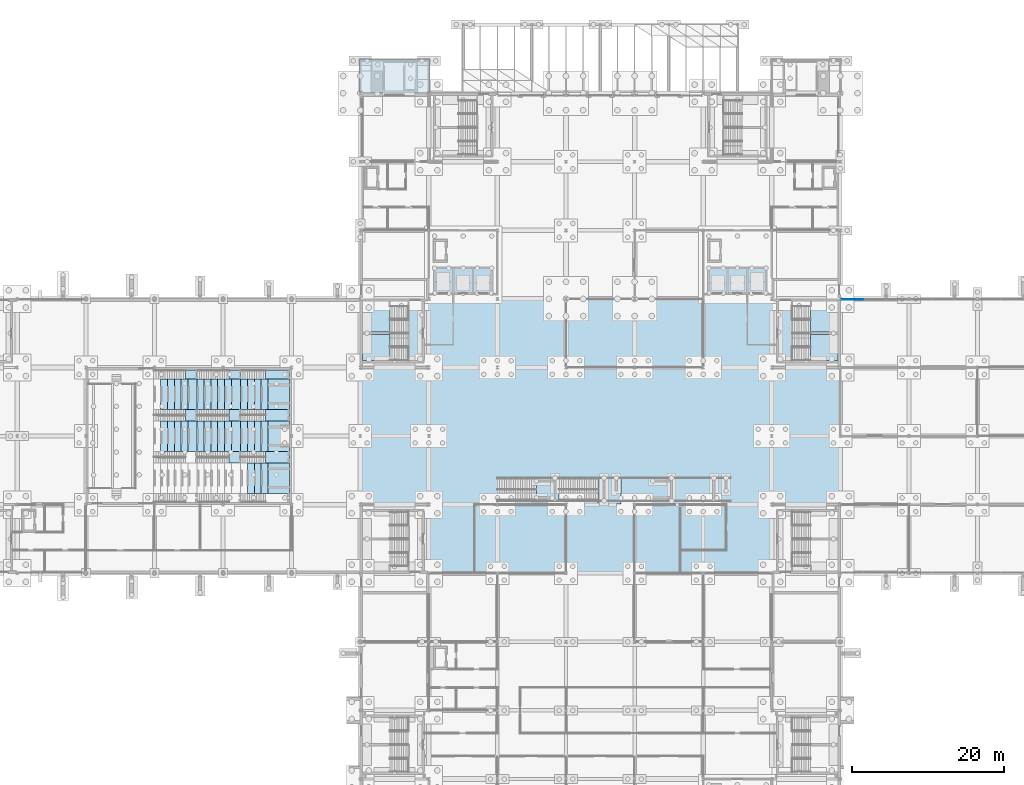
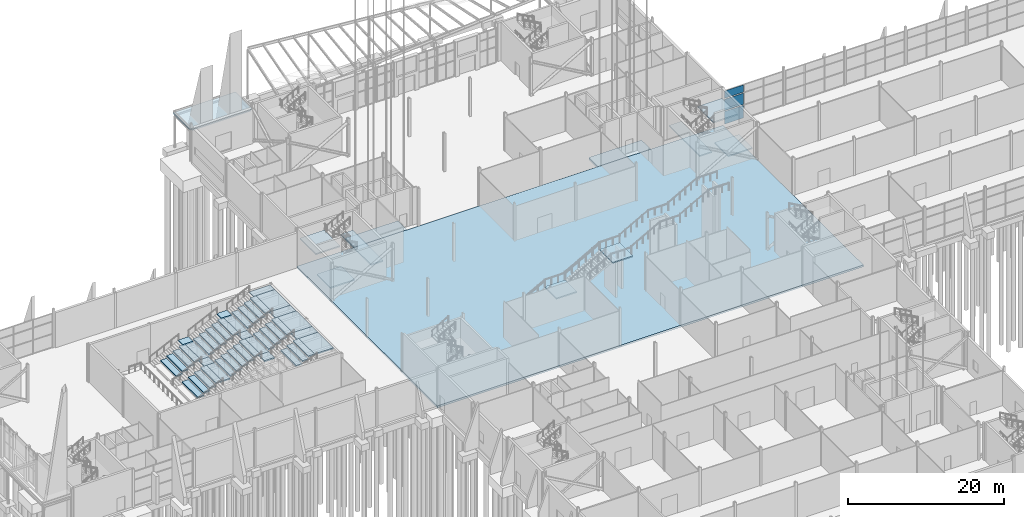
# One storey, part 92 of 139: 56 slabs, 3 plates, 7 elements without a shape of their own.
"""IFC4 building model written with IfcOpenShell, lengths in metres."""

from ifc_helpers import new_model, si_unit, direction, frame, origin, origin_2d, place, context, subcontext, project, spatial, polyline, rectangle, outline, extrude, material, layer, layer_set, type_object, element, aggregate, save


model = new_model("IFC4")

# Units and contexts
model_context = context("Model", 3, precision=1e-05, world=origin(), true_north=direction((0.0, 1.0)))
body_context = subcontext(model_context, "Body", "Model", "MODEL_VIEW")
ifc_project = project(units=[si_unit("LENGTHUNIT", "METRE"), si_unit("AREAUNIT", "SQUARE_METRE"), si_unit("VOLUMEUNIT", "CUBIC_METRE"), si_unit("PLANEANGLEUNIT", "RADIAN"), si_unit("MASSUNIT", "GRAM", prefix="KILO")], contexts=[model_context])

# Site, building, storey
site_placement = place(None, origin())
site = spatial("IfcSite", under=ifc_project, at=site_placement, CompositionType="ELEMENT")
building_placement = place(site_placement, origin())
building = spatial("IfcBuilding", under=site, at=building_placement, Name="Shorebreak Coast Museum", CompositionType="ELEMENT")
storey_placement = place(building_placement, origin())
storey = spatial("IfcBuildingStorey", under=building, at=storey_placement, Name="L00", CompositionType="ELEMENT", Elevation=0.0)

# Stair, slabs
ifc_material_1 = material(Name="Concrete N40 (40 MPa)", Category="concrete")
stair_type_1 = type_object("IfcStairType", Name="Aisle stair 1500", PredefinedType="STRAIGHT_RUN_STAIR", material=ifc_material_1)
stair_1_placement = place(storey_placement, origin())
stair_1 = element("IfcStair", 1, at=stair_1_placement, inside=storey, type_object=stair_type_1, Name="Aisle stair 2", PredefinedType="STRAIGHT_RUN_STAIR")
ifc_material_2 = material(Name="Concrete N40 (40 MPa)", Category="concrete")
ifc_layer_1 = layer(ifc_material_2, 0.199951171875)
ifc_layer_set_1 = layer_set([ifc_layer_1], Name="Concrete N40 (40 MPa)")
slab_type_1 = type_object("IfcSlabType", Name="Aisle landing 200", PredefinedType="LANDING", material=ifc_layer_set_1)
slab_1_placement = place(storey_placement, frame((0.0, 0.0, 4.085693359375)))
slab_1 = element("IfcSlab", 2, at=slab_1_placement, type_object=slab_type_1, Name="STA-2 landing 2", PredefinedType="LANDING", context=body_context, shape_type="SweptSolid", body=[
    extrude(outline(polyline([(36.800048828125, 68.5), (38.300048828125, 68.5), (38.300048828125, 70.0), (36.800048828125, 70.0), (36.800048828125, 68.5)])), origin(), (0.0, 0.0, 1.0), 0.199951171875),
])
slab_2_placement = place(storey_placement, frame((0.0, 0.0, 5.800048828125)))
slab_2 = element("IfcSlab", 3, at=slab_2_placement, type_object=slab_type_1, Name="STA-2 landing 3", PredefinedType="LANDING", context=body_context, shape_type="SweptSolid", body=[
    extrude(outline(polyline([(41.60009765625, 68.5), (44.699951171875, 68.5), (44.699951171875, 70.0), (41.60009765625, 70.0), (41.60009765625, 68.5)])), origin(), (0.0, 0.0, 1.0), 0.199951171875),
])
aggregate(stair_1, [slab_1, slab_2])

stair_2_placement = place(storey_placement, origin())
stair_2 = element("IfcStair", 4, at=stair_2_placement, inside=storey, type_object=stair_type_1, Name="Aisle stair 3", PredefinedType="STRAIGHT_RUN_STAIR")
slab_3_placement = place(storey_placement, frame((0.0, 0.0, 1.94287109375)))
slab_3 = element("IfcSlab", 5, at=slab_3_placement, type_object=slab_type_1, Name="STA-3 landing 1", PredefinedType="LANDING", context=body_context, shape_type="SweptSolid", body=[
    extrude(outline(polyline([(31.10009765625, 74.0), (32.60009765625, 74.0), (32.60009765625, 75.5), (31.10009765625, 75.5), (31.10009765625, 74.0)])), origin(), (0.0, 0.0, 1.0), 0.199951171875),
])
slab_4_placement = place(storey_placement, frame((0.0, 0.0, 4.085693359375)))
slab_4 = element("IfcSlab", 6, at=slab_4_placement, type_object=slab_type_1, Name="STA-3 landing 2", PredefinedType="LANDING", context=body_context, shape_type="SweptSolid", body=[
    extrude(outline(polyline([(36.800048828125, 74.0), (38.300048828125, 74.0), (38.300048828125, 75.5), (36.800048828125, 75.5), (36.800048828125, 74.0)])), origin(), (0.0, 0.0, 1.0), 0.199951171875),
])
slab_5_placement = place(storey_placement, frame((0.0, 0.0, 5.800048828125)))
slab_5 = element("IfcSlab", 7, at=slab_5_placement, type_object=slab_type_1, Name="STA-3 landing 3", PredefinedType="LANDING", context=body_context, shape_type="SweptSolid", body=[
    extrude(outline(polyline([(41.60009765625, 74.0), (44.699951171875, 74.0), (44.699951171875, 75.5), (41.60009765625, 75.5), (41.60009765625, 74.0)])), origin(), (0.0, 0.0, 1.0), 0.199951171875),
])
aggregate(stair_2, [slab_3, slab_4, slab_5])

ifc_material_3 = material(Name="Concrete N40 (40 MPa)", Category="concrete")
stair_type_2 = type_object("IfcStairType", Name="Aisle stair 1200", PredefinedType="STRAIGHT_RUN_STAIR", material=ifc_material_3)
stair_3_placement = place(storey_placement, origin())
stair_3 = element("IfcStair", 8, at=stair_3_placement, inside=storey, type_object=stair_type_2, Name="Aisle stair 4", PredefinedType="STRAIGHT_RUN_STAIR")
slab_6_placement = place(storey_placement, frame((0.0, 0.0, 1.94287109375)))
slab_6 = element("IfcSlab", 9, at=slab_6_placement, type_object=slab_type_1, Name="STA-4 landing 1", PredefinedType="LANDING", context=body_context, shape_type="SweptSolid", body=[
    extrude(outline(polyline([(31.10009765625, 79.5), (32.60009765625, 79.5), (32.60009765625, 80.699951171875), (31.10009765625, 80.699951171875), (31.10009765625, 79.5)])), origin(), (0.0, 0.0, 1.0), 0.199951171875),
])
slab_7_placement = place(storey_placement, frame((0.0, 0.0, 4.085693359375)))
slab_7 = element("IfcSlab", 10, at=slab_7_placement, type_object=slab_type_1, Name="STA-4 landing 2", PredefinedType="LANDING", context=body_context, shape_type="SweptSolid", body=[
    extrude(outline(polyline([(36.800048828125, 79.5), (38.300048828125, 79.5), (38.300048828125, 80.699951171875), (36.800048828125, 80.699951171875), (36.800048828125, 79.5)])), origin(), (0.0, 0.0, 1.0), 0.199951171875),
])
slab_8_placement = place(storey_placement, frame((0.0, 0.0, 5.800048828125)))
slab_8 = element("IfcSlab", 11, at=slab_8_placement, type_object=slab_type_1, Name="STA-4 landing 3", PredefinedType="LANDING", context=body_context, shape_type="SweptSolid", body=[
    extrude(outline(polyline([(41.60009765625, 79.5), (44.699951171875, 79.5), (44.699951171875, 80.699951171875), (41.60009765625, 80.699951171875), (41.60009765625, 79.5)])), origin(), (0.0, 0.0, 1.0), 0.199951171875),
])
aggregate(stair_3, [slab_6, slab_7, slab_8])

# Slabs
ifc_material_4 = material(Name="Concrete N50 (50 MPa)", Category="concrete")
ifc_layer_2 = layer(ifc_material_4, 0.199951171875)
ifc_layer_set_2 = layer_set([ifc_layer_2], Name="Concrete N50 (50 MPa)")
slab_type_2 = type_object("IfcSlabType", Name="Arcade roof slab 200 concrete N50", PredefinedType="ROOF", material=ifc_layer_set_2)
slab_9_placement = place(storey_placement, frame((0.0, 0.0, 4.800048828125)))
element("IfcSlab", 12, at=slab_9_placement, inside=storey, type_object=slab_type_2, Name="Arcade roof slab north 1", PredefinedType="ROOF", context=body_context, shape_type="SweptSolid", body=[
    extrude(outline(polyline([(53.89990234375, 121.5), (63.10009765625, 121.5), (63.10009765625, 117.16357421875), (62.844482421875, 117.16357421875), (62.844482421875, 117.0), (54.155517578125, 117.0), (54.155517578125, 117.16357421875), (53.89990234375, 117.16357421875), (53.89990234375, 121.5)])), origin(), (0.0, 0.0, 1.0), 0.199951171875),
])
ifc_material_5 = material(Name="Concrete N40 (40 MPa)", Category="concrete")
ifc_layer_3 = layer(ifc_material_5, 0.300048828125)
ifc_layer_set_3 = layer_set([ifc_layer_3], Name="Concrete N40 (40 MPa)")
slab_type_3 = type_object("IfcSlabType", Name="Base slab 300 concrete N40", PredefinedType="BASESLAB", material=ifc_layer_set_3)
slab_10_placement = place(storey_placement, frame((0.0, 0.0, -0.300048828125)))
element("IfcSlab", 13, at=slab_10_placement, inside=storey, type_object=slab_type_3, Name="Base slab L00 crossing", PredefinedType="BASESLAB", context=body_context, shape_type="SweptSolid", body=[
    extrude(outline(polyline([(117.0, 54.0), (117.0, 90.0), (54.0, 90.0), (54.0, 54.0), (117.0, 54.0)])), origin(), (0.0, 0.0, 1.0), 0.300048828125),
])
ifc_material_6 = material(Name="Concrete N40 (40 MPa)", Category="concrete")
ifc_layer_4 = layer(ifc_material_6, 0.199951171875)
ifc_layer_set_4 = layer_set([ifc_layer_4], Name="Concrete N40 (40 MPa)")
slab_type_4 = type_object("IfcSlabType", Name="Cross aisle 200", PredefinedType="USERDEFINED", material=ifc_layer_set_4)
slab_11_placement = place(storey_placement, frame((0.0, 0.0, 1.94287109375)))
element("IfcSlab", 14, at=slab_11_placement, inside=storey, type_object=slab_type_4, Name="Cross aisle 1 B", ObjectType="CROSS AISLE", PredefinedType="USERDEFINED", context=body_context, shape_type="SweptSolid", body=[
    extrude(outline(polyline([(31.39990234375, 70.0), (32.60009765625, 70.0), (32.60009765625, 74.0), (31.39990234375, 74.0), (31.39990234375, 70.0)])), origin(), (0.0, 0.0, 1.0), 0.199951171875),
])
slab_12_placement = place(storey_placement, frame((0.0, 0.0, 1.94287109375)))
element("IfcSlab", 15, at=slab_12_placement, inside=storey, type_object=slab_type_4, Name="Cross aisle 1 C", ObjectType="CROSS AISLE", PredefinedType="USERDEFINED", context=body_context, shape_type="SweptSolid", body=[
    extrude(outline(polyline([(31.39990234375, 75.5), (32.60009765625, 75.5), (32.60009765625, 79.5), (31.39990234375, 79.5), (31.39990234375, 75.5)])), origin(), (0.0, 0.0, 1.0), 0.199951171875),
])
slab_13_placement = place(storey_placement, frame((0.0, 0.0, 4.085693359375)))
element("IfcSlab", 16, at=slab_13_placement, inside=storey, type_object=slab_type_4, Name="Cross aisle 2 B", ObjectType="CROSS AISLE", PredefinedType="USERDEFINED", context=body_context, shape_type="SweptSolid", body=[
    extrude(outline(polyline([(37.10009765625, 70.0), (38.300048828125, 70.0), (38.300048828125, 74.0), (37.10009765625, 74.0), (37.10009765625, 70.0)])), origin(), (0.0, 0.0, 1.0), 0.199951171875),
])
slab_14_placement = place(storey_placement, frame((0.0, 0.0, 4.085693359375)))
element("IfcSlab", 17, at=slab_14_placement, inside=storey, type_object=slab_type_4, Name="Cross aisle 2 C", ObjectType="CROSS AISLE", PredefinedType="USERDEFINED", context=body_context, shape_type="SweptSolid", body=[
    extrude(outline(polyline([(37.10009765625, 75.5), (38.300048828125, 75.5), (38.300048828125, 79.5), (37.10009765625, 79.5), (37.10009765625, 75.5)])), origin(), (0.0, 0.0, 1.0), 0.199951171875),
])
slab_15_placement = place(storey_placement, frame((0.0, 0.0, 5.800048828125)))
element("IfcSlab", 18, at=slab_15_placement, inside=storey, type_object=slab_type_4, Name="Rear aisle A", ObjectType="CROSS AISLE", PredefinedType="USERDEFINED", context=body_context, shape_type="SweptSolid", body=[
    extrude(outline(polyline([(41.89990234375, 64.5), (44.699951171875, 64.5), (44.699951171875, 68.5), (41.89990234375, 68.5), (41.89990234375, 64.5)])), origin(), (0.0, 0.0, 1.0), 0.199951171875),
])
slab_16_placement = place(storey_placement, frame((0.0, 0.0, 5.800048828125)))
element("IfcSlab", 19, at=slab_16_placement, inside=storey, type_object=slab_type_4, Name="Rear aisle B", ObjectType="CROSS AISLE", PredefinedType="USERDEFINED", context=body_context, shape_type="SweptSolid", body=[
    extrude(outline(polyline([(41.89990234375, 70.0), (44.699951171875, 70.0), (44.699951171875, 74.0), (41.89990234375, 74.0), (41.89990234375, 70.0)])), origin(), (0.0, 0.0, 1.0), 0.199951171875),
])
slab_17_placement = place(storey_placement, frame((0.0, 0.0, 5.800048828125)))
element("IfcSlab", 20, at=slab_17_placement, inside=storey, type_object=slab_type_4, Name="Rear aisle C", ObjectType="CROSS AISLE", PredefinedType="USERDEFINED", context=body_context, shape_type="SweptSolid", body=[
    extrude(outline(polyline([(41.89990234375, 75.5), (44.699951171875, 75.5), (44.699951171875, 79.5), (41.89990234375, 79.5), (41.89990234375, 75.5)])), origin(), (0.0, 0.0, 1.0), 0.199951171875),
])

# Stair, slabs
ifc_material_7 = material(Name="Concrete N40 (40 MPa)", Category="concrete")
stair_type_3 = type_object("IfcStairType", Name="Feature stair run 6 m", PredefinedType="TWO_STRAIGHT_RUN_STAIR", material=ifc_material_7)
stair_4_placement = place(storey_placement, origin())
stair_4 = element("IfcStair", 21, at=stair_4_placement, inside=storey, type_object=stair_type_3, Name="Feature stair FS-L00", PredefinedType="TWO_STRAIGHT_RUN_STAIR")
ifc_material_8 = material(Name="Concrete N40 (40 MPa)", Category="concrete")
ifc_layer_5 = layer(ifc_material_8, 0.199951171875)
ifc_layer_set_5 = layer_set([ifc_layer_5], Name="Concrete N40 (40 MPa)")
slab_type_5 = type_object("IfcSlabType", Name="Feature stair landing 200", PredefinedType="LANDING", material=ifc_layer_set_5)
slab_18_placement = place(storey_placement, frame((0.0, 0.0, 2.800048828125)))
slab_18 = element("IfcSlab", 22, at=slab_18_placement, type_object=slab_type_5, Name="FS-L00 landing 1", PredefinedType="LANDING", context=body_context, shape_type="SweptSolid", body=[
    extrude(outline(polyline([(77.10009765625, 63.5), (80.10009765625, 63.5), (80.10009765625, 66.5), (77.10009765625, 66.5), (77.10009765625, 63.5)])), origin(), (0.0, 0.0, 1.0), 0.199951171875),
])
slab_19_placement = place(storey_placement, frame((0.0, 0.0, 5.800048828125)))
slab_19 = element("IfcSlab", 23, at=slab_19_placement, type_object=slab_type_5, Name="FS-L00 landing 2", PredefinedType="LANDING", context=body_context, shape_type="SweptSolid", body=[
    extrude(outline(polyline([(85.199951171875, 63.10009765625), (88.199951171875, 63.10009765625), (88.199951171875, 66.5), (85.199951171875, 66.5), (85.199951171875, 63.10009765625)])), origin(), (0.0, 0.0, 1.0), 0.199951171875),
])
aggregate(stair_4, [slab_18, slab_19])

# Slabs
ifc_material_9 = material(Name="Concrete N50 (50 MPa)", Category="concrete")
ifc_layer_6 = layer(ifc_material_9, 0.300048828125)
ifc_layer_set_6 = layer_set([ifc_layer_6], Name="Concrete N50 (50 MPa)")
slab_type_6 = type_object("IfcSlabType", Name="Lift pit slab 300", PredefinedType="BASESLAB", material=ifc_layer_set_6)
slab_20_placement = place(storey_placement, frame((0.0, 0.0, -1.800048828125)))
element("IfcSlab", 24, at=slab_20_placement, inside=storey, type_object=slab_type_6, Name="Lift pit slab LBW", PredefinedType="BASESLAB", context=body_context, shape_type="SweptSolid", body=[
    extrude(outline(polyline([(63.60009765625, 90.60009765625), (71.39990234375, 90.60009765625), (71.39990234375, 94.199951171875), (63.60009765625, 94.199951171875), (63.60009765625, 90.60009765625)])), origin(), (0.0, 0.0, 1.0), 0.300048828125),
])
slab_21_placement = place(storey_placement, frame((0.0, 0.0, -1.800048828125)))
element("IfcSlab", 25, at=slab_21_placement, inside=storey, type_object=slab_type_6, Name="Lift pit slab LBE", PredefinedType="BASESLAB", context=body_context, shape_type="SweptSolid", body=[
    extrude(outline(polyline([(99.60009765625, 90.60009765625), (107.39990234375, 90.60009765625), (107.39990234375, 94.199951171875), (99.60009765625, 94.199951171875), (99.60009765625, 90.60009765625)])), origin(), (0.0, 0.0, 1.0), 0.300048828125),
])
ifc_material_10 = material(Name="Concrete N40 (40 MPa)", Category="concrete")
ifc_layer_7 = layer(ifc_material_10, 0.199951171875)
ifc_layer_set_7 = layer_set([ifc_layer_7], Name="Concrete N40 (40 MPa)")
slab_type_7 = type_object("IfcSlabType", Name="Seating tier 200", PredefinedType="USERDEFINED", material=ifc_layer_set_7)
slab_22_placement = place(storey_placement, frame((0.0, 0.0, 0.656982421875)))
element("IfcSlab", 26, at=slab_22_placement, inside=storey, type_object=slab_type_7, Name="Stand 2 B", ObjectType="SEATING TIER", PredefinedType="USERDEFINED", context=body_context, shape_type="SweptSolid", body=[
    extrude(outline(polyline([(27.800048828125, 70.0), (28.699951171875, 70.0), (28.699951171875, 74.0), (27.800048828125, 74.0), (27.800048828125, 70.0)])), origin(), (0.0, 0.0, 1.0), 0.2001953125),
])
slab_23_placement = place(storey_placement, frame((0.0, 0.0, 0.656982421875)))
element("IfcSlab", 27, at=slab_23_placement, inside=storey, type_object=slab_type_7, Name="Stand 2 C", ObjectType="SEATING TIER", PredefinedType="USERDEFINED", context=body_context, shape_type="SweptSolid", body=[
    extrude(outline(polyline([(27.800048828125, 75.5), (28.699951171875, 75.5), (28.699951171875, 79.5), (27.800048828125, 79.5), (27.800048828125, 75.5)])), origin(), (0.0, 0.0, 1.0), 0.2001953125),
])
slab_24_placement = place(storey_placement, frame((0.0, 0.0, 1.085693359375)))
element("IfcSlab", 28, at=slab_24_placement, inside=storey, type_object=slab_type_7, Name="Stand 3 B", ObjectType="SEATING TIER", PredefinedType="USERDEFINED", context=body_context, shape_type="SweptSolid", body=[
    extrude(outline(polyline([(28.699951171875, 70.0), (29.60009765625, 70.0), (29.60009765625, 74.0), (28.699951171875, 74.0), (28.699951171875, 70.0)])), origin(), (0.0, 0.0, 1.0), 0.199951171875),
])
slab_25_placement = place(storey_placement, frame((0.0, 0.0, 1.085693359375)))
element("IfcSlab", 29, at=slab_25_placement, inside=storey, type_object=slab_type_7, Name="Stand 3 C", ObjectType="SEATING TIER", PredefinedType="USERDEFINED", context=body_context, shape_type="SweptSolid", body=[
    extrude(outline(polyline([(28.699951171875, 75.5), (29.60009765625, 75.5), (29.60009765625, 79.5), (28.699951171875, 79.5), (28.699951171875, 75.5)])), origin(), (0.0, 0.0, 1.0), 0.199951171875),
])
slab_26_placement = place(storey_placement, frame((0.0, 0.0, 1.514404296875)))
element("IfcSlab", 30, at=slab_26_placement, inside=storey, type_object=slab_type_7, Name="Stand 4 B", ObjectType="SEATING TIER", PredefinedType="USERDEFINED", context=body_context, shape_type="SweptSolid", body=[
    extrude(outline(polyline([(29.60009765625, 70.0), (30.5, 70.0), (30.5, 74.0), (29.60009765625, 74.0), (29.60009765625, 70.0)])), origin(), (0.0, 0.0, 1.0), 0.199951171875),
])
slab_27_placement = place(storey_placement, frame((0.0, 0.0, 1.514404296875)))
element("IfcSlab", 31, at=slab_27_placement, inside=storey, type_object=slab_type_7, Name="Stand 4 C", ObjectType="SEATING TIER", PredefinedType="USERDEFINED", context=body_context, shape_type="SweptSolid", body=[
    extrude(outline(polyline([(29.60009765625, 75.5), (30.5, 75.5), (30.5, 79.5), (29.60009765625, 79.5), (29.60009765625, 75.5)])), origin(), (0.0, 0.0, 1.0), 0.199951171875),
])
slab_28_placement = place(storey_placement, frame((0.0, 0.0, 1.94287109375)))
element("IfcSlab", 32, at=slab_28_placement, inside=storey, type_object=slab_type_7, Name="Stand 5 B", ObjectType="SEATING TIER", PredefinedType="USERDEFINED", context=body_context, shape_type="SweptSolid", body=[
    extrude(outline(polyline([(30.5, 70.0), (31.39990234375, 70.0), (31.39990234375, 74.0), (30.5, 74.0), (30.5, 70.0)])), origin(), (0.0, 0.0, 1.0), 0.199951171875),
])
slab_29_placement = place(storey_placement, frame((0.0, 0.0, 1.94287109375)))
element("IfcSlab", 33, at=slab_29_placement, inside=storey, type_object=slab_type_7, Name="Stand 5 C", ObjectType="SEATING TIER", PredefinedType="USERDEFINED", context=body_context, shape_type="SweptSolid", body=[
    extrude(outline(polyline([(30.5, 75.5), (31.39990234375, 75.5), (31.39990234375, 79.5), (30.5, 79.5), (30.5, 75.5)])), origin(), (0.0, 0.0, 1.0), 0.199951171875),
])
slab_30_placement = place(storey_placement, frame((0.0, 0.0, 2.371337890625)))
element("IfcSlab", 34, at=slab_30_placement, inside=storey, type_object=slab_type_7, Name="Stand 6 B", ObjectType="SEATING TIER", PredefinedType="USERDEFINED", context=body_context, shape_type="SweptSolid", body=[
    extrude(outline(polyline([(32.60009765625, 70.0), (33.5, 70.0), (33.5, 74.0), (32.60009765625, 74.0), (32.60009765625, 70.0)])), origin(), (0.0, 0.0, 1.0), 0.199951171875),
])
slab_31_placement = place(storey_placement, frame((0.0, 0.0, 2.371337890625)))
element("IfcSlab", 35, at=slab_31_placement, inside=storey, type_object=slab_type_7, Name="Stand 6 C", ObjectType="SEATING TIER", PredefinedType="USERDEFINED", context=body_context, shape_type="SweptSolid", body=[
    extrude(outline(polyline([(32.60009765625, 75.5), (33.5, 75.5), (33.5, 79.5), (32.60009765625, 79.5), (32.60009765625, 75.5)])), origin(), (0.0, 0.0, 1.0), 0.199951171875),
])
slab_32_placement = place(storey_placement, frame((0.0, 0.0, 2.800048828125)))
element("IfcSlab", 36, at=slab_32_placement, inside=storey, type_object=slab_type_7, Name="Stand 7 B", ObjectType="SEATING TIER", PredefinedType="USERDEFINED", context=body_context, shape_type="SweptSolid", body=[
    extrude(outline(polyline([(33.5, 70.0), (34.39990234375, 70.0), (34.39990234375, 74.0), (33.5, 74.0), (33.5, 70.0)])), origin(), (0.0, 0.0, 1.0), 0.199951171875),
])
slab_33_placement = place(storey_placement, frame((0.0, 0.0, 2.800048828125)))
element("IfcSlab", 37, at=slab_33_placement, inside=storey, type_object=slab_type_7, Name="Stand 7 C", ObjectType="SEATING TIER", PredefinedType="USERDEFINED", context=body_context, shape_type="SweptSolid", body=[
    extrude(outline(polyline([(33.5, 75.5), (34.39990234375, 75.5), (34.39990234375, 79.5), (33.5, 79.5), (33.5, 75.5)])), origin(), (0.0, 0.0, 1.0), 0.199951171875),
])
slab_34_placement = place(storey_placement, frame((0.0, 0.0, 3.228515625)))
element("IfcSlab", 38, at=slab_34_placement, inside=storey, type_object=slab_type_7, Name="Stand 8 B", ObjectType="SEATING TIER", PredefinedType="USERDEFINED", context=body_context, shape_type="SweptSolid", body=[
    extrude(outline(polyline([(34.39990234375, 70.0), (35.300048828125, 70.0), (35.300048828125, 74.0), (34.39990234375, 74.0), (34.39990234375, 70.0)])), origin(), (0.0, 0.0, 1.0), 0.2001953125),
])
slab_35_placement = place(storey_placement, frame((0.0, 0.0, 3.228515625)))
element("IfcSlab", 39, at=slab_35_placement, inside=storey, type_object=slab_type_7, Name="Stand 8 C", ObjectType="SEATING TIER", PredefinedType="USERDEFINED", context=body_context, shape_type="SweptSolid", body=[
    extrude(outline(polyline([(34.39990234375, 75.5), (35.300048828125, 75.5), (35.300048828125, 79.5), (34.39990234375, 79.5), (34.39990234375, 75.5)])), origin(), (0.0, 0.0, 1.0), 0.2001953125),
])
slab_36_placement = place(storey_placement, frame((0.0, 0.0, 3.656982421875)))
element("IfcSlab", 40, at=slab_36_placement, inside=storey, type_object=slab_type_7, Name="Stand 9 B", ObjectType="SEATING TIER", PredefinedType="USERDEFINED", context=body_context, shape_type="SweptSolid", body=[
    extrude(outline(polyline([(35.300048828125, 70.0), (36.199951171875, 70.0), (36.199951171875, 74.0), (35.300048828125, 74.0), (35.300048828125, 70.0)])), origin(), (0.0, 0.0, 1.0), 0.2001953125),
])
slab_37_placement = place(storey_placement, frame((0.0, 0.0, 3.656982421875)))
element("IfcSlab", 41, at=slab_37_placement, inside=storey, type_object=slab_type_7, Name="Stand 9 C", ObjectType="SEATING TIER", PredefinedType="USERDEFINED", context=body_context, shape_type="SweptSolid", body=[
    extrude(outline(polyline([(35.300048828125, 75.5), (36.199951171875, 75.5), (36.199951171875, 79.5), (35.300048828125, 79.5), (35.300048828125, 75.5)])), origin(), (0.0, 0.0, 1.0), 0.2001953125),
])
slab_38_placement = place(storey_placement, frame((0.0, 0.0, 4.085693359375)))
element("IfcSlab", 42, at=slab_38_placement, inside=storey, type_object=slab_type_7, Name="Stand 10 B", ObjectType="SEATING TIER", PredefinedType="USERDEFINED", context=body_context, shape_type="SweptSolid", body=[
    extrude(outline(polyline([(36.199951171875, 70.0), (37.10009765625, 70.0), (37.10009765625, 74.0), (36.199951171875, 74.0), (36.199951171875, 70.0)])), origin(), (0.0, 0.0, 1.0), 0.199951171875),
])
slab_39_placement = place(storey_placement, frame((0.0, 0.0, 4.085693359375)))
element("IfcSlab", 43, at=slab_39_placement, inside=storey, type_object=slab_type_7, Name="Stand 10 C", ObjectType="SEATING TIER", PredefinedType="USERDEFINED", context=body_context, shape_type="SweptSolid", body=[
    extrude(outline(polyline([(36.199951171875, 75.5), (37.10009765625, 75.5), (37.10009765625, 79.5), (36.199951171875, 79.5), (36.199951171875, 75.5)])), origin(), (0.0, 0.0, 1.0), 0.199951171875),
])
slab_40_placement = place(storey_placement, frame((0.0, 0.0, 4.514404296875)))
element("IfcSlab", 44, at=slab_40_placement, inside=storey, type_object=slab_type_7, Name="Stand 11 B", ObjectType="SEATING TIER", PredefinedType="USERDEFINED", context=body_context, shape_type="SweptSolid", body=[
    extrude(outline(polyline([(38.300048828125, 70.0), (39.199951171875, 70.0), (39.199951171875, 74.0), (38.300048828125, 74.0), (38.300048828125, 70.0)])), origin(), (0.0, 0.0, 1.0), 0.199951171875),
])
slab_41_placement = place(storey_placement, frame((0.0, 0.0, 4.514404296875)))
element("IfcSlab", 45, at=slab_41_placement, inside=storey, type_object=slab_type_7, Name="Stand 11 C", ObjectType="SEATING TIER", PredefinedType="USERDEFINED", context=body_context, shape_type="SweptSolid", body=[
    extrude(outline(polyline([(38.300048828125, 75.5), (39.199951171875, 75.5), (39.199951171875, 79.5), (38.300048828125, 79.5), (38.300048828125, 75.5)])), origin(), (0.0, 0.0, 1.0), 0.199951171875),
])
slab_42_placement = place(storey_placement, frame((0.0, 0.0, 4.94287109375)))
element("IfcSlab", 46, at=slab_42_placement, inside=storey, type_object=slab_type_7, Name="Stand 12 A", ObjectType="SEATING TIER", PredefinedType="USERDEFINED", context=body_context, shape_type="SweptSolid", body=[
    extrude(outline(polyline([(39.199951171875, 64.5), (40.10009765625, 64.5), (40.10009765625, 68.5), (39.199951171875, 68.5), (39.199951171875, 64.5)])), origin(), (0.0, 0.0, 1.0), 0.199951171875),
])
slab_43_placement = place(storey_placement, frame((0.0, 0.0, 4.94287109375)))
element("IfcSlab", 47, at=slab_43_placement, inside=storey, type_object=slab_type_7, Name="Stand 12 B", ObjectType="SEATING TIER", PredefinedType="USERDEFINED", context=body_context, shape_type="SweptSolid", body=[
    extrude(outline(polyline([(39.199951171875, 70.0), (40.10009765625, 70.0), (40.10009765625, 74.0), (39.199951171875, 74.0), (39.199951171875, 70.0)])), origin(), (0.0, 0.0, 1.0), 0.199951171875),
])
slab_44_placement = place(storey_placement, frame((0.0, 0.0, 4.94287109375)))
element("IfcSlab", 48, at=slab_44_placement, inside=storey, type_object=slab_type_7, Name="Stand 12 C", ObjectType="SEATING TIER", PredefinedType="USERDEFINED", context=body_context, shape_type="SweptSolid", body=[
    extrude(outline(polyline([(39.199951171875, 75.5), (40.10009765625, 75.5), (40.10009765625, 79.5), (39.199951171875, 79.5), (39.199951171875, 75.5)])), origin(), (0.0, 0.0, 1.0), 0.199951171875),
])
slab_45_placement = place(storey_placement, frame((0.0, 0.0, 5.371337890625)))
element("IfcSlab", 49, at=slab_45_placement, inside=storey, type_object=slab_type_7, Name="Stand 13 A", ObjectType="SEATING TIER", PredefinedType="USERDEFINED", context=body_context, shape_type="SweptSolid", body=[
    extrude(outline(polyline([(40.10009765625, 64.5), (41.0, 64.5), (41.0, 68.5), (40.10009765625, 68.5), (40.10009765625, 64.5)])), origin(), (0.0, 0.0, 1.0), 0.199951171875),
])
slab_46_placement = place(storey_placement, frame((0.0, 0.0, 5.371337890625)))
element("IfcSlab", 50, at=slab_46_placement, inside=storey, type_object=slab_type_7, Name="Stand 13 B", ObjectType="SEATING TIER", PredefinedType="USERDEFINED", context=body_context, shape_type="SweptSolid", body=[
    extrude(outline(polyline([(40.10009765625, 70.0), (41.0, 70.0), (41.0, 74.0), (40.10009765625, 74.0), (40.10009765625, 70.0)])), origin(), (0.0, 0.0, 1.0), 0.199951171875),
])
slab_47_placement = place(storey_placement, frame((0.0, 0.0, 5.371337890625)))
element("IfcSlab", 51, at=slab_47_placement, inside=storey, type_object=slab_type_7, Name="Stand 13 C", ObjectType="SEATING TIER", PredefinedType="USERDEFINED", context=body_context, shape_type="SweptSolid", body=[
    extrude(outline(polyline([(40.10009765625, 75.5), (41.0, 75.5), (41.0, 79.5), (40.10009765625, 79.5), (40.10009765625, 75.5)])), origin(), (0.0, 0.0, 1.0), 0.199951171875),
])
slab_48_placement = place(storey_placement, frame((0.0, 0.0, 5.800048828125)))
element("IfcSlab", 52, at=slab_48_placement, inside=storey, type_object=slab_type_7, Name="Stand 14 A", ObjectType="SEATING TIER", PredefinedType="USERDEFINED", context=body_context, shape_type="SweptSolid", body=[
    extrude(outline(polyline([(41.0, 64.5), (41.89990234375, 64.5), (41.89990234375, 68.5), (41.0, 68.5), (41.0, 64.5)])), origin(), (0.0, 0.0, 1.0), 0.199951171875),
])
slab_49_placement = place(storey_placement, frame((0.0, 0.0, 5.800048828125)))
element("IfcSlab", 53, at=slab_49_placement, inside=storey, type_object=slab_type_7, Name="Stand 14 B", ObjectType="SEATING TIER", PredefinedType="USERDEFINED", context=body_context, shape_type="SweptSolid", body=[
    extrude(outline(polyline([(41.0, 70.0), (41.89990234375, 70.0), (41.89990234375, 74.0), (41.0, 74.0), (41.0, 70.0)])), origin(), (0.0, 0.0, 1.0), 0.199951171875),
])
slab_50_placement = place(storey_placement, frame((0.0, 0.0, 5.800048828125)))
element("IfcSlab", 54, at=slab_50_placement, inside=storey, type_object=slab_type_7, Name="Stand 14 C", ObjectType="SEATING TIER", PredefinedType="USERDEFINED", context=body_context, shape_type="SweptSolid", body=[
    extrude(outline(polyline([(41.0, 75.5), (41.89990234375, 75.5), (41.89990234375, 79.5), (41.0, 79.5), (41.0, 75.5)])), origin(), (0.0, 0.0, 1.0), 0.199951171875),
])

# Stair, slabs
ifc_material_11 = material(Name="Concrete N40 (40 MPa)", Category="concrete")
stair_type_4 = type_object("IfcStairType", Name="Stair run 6 m", PredefinedType="DOUBLE_RETURN_STAIR", material=ifc_material_11)
stair_5_placement = place(storey_placement, origin())
stair_5 = element("IfcStair", 55, at=stair_5_placement, inside=storey, type_object=stair_type_4, Name="Exit stair ST03-L00", PredefinedType="DOUBLE_RETURN_STAIR")
ifc_material_12 = material(Name="Concrete N40 (40 MPa)", Category="concrete")
ifc_layer_8 = layer(ifc_material_12, 0.199951171875)
ifc_layer_set_8 = layer_set([ifc_layer_8], Name="Concrete N40 (40 MPa)")
slab_type_8 = type_object("IfcSlabType", Name="Stair landing 200", PredefinedType="LANDING", material=ifc_layer_set_8)
slab_51_placement = place(storey_placement, frame((0.0, 0.0, 2.800048828125)))
slab_51 = element("IfcSlab", 56, at=slab_51_placement, type_object=slab_type_8, Name="ST03-L00 landing 1", PredefinedType="LANDING", context=body_context, shape_type="SweptSolid", body=[
    extrude(outline(polyline([(60.300048828125, 81.89990234375), (62.10009765625, 81.89990234375), (62.10009765625, 89.699951171875), (60.300048828125, 89.699951171875), (60.300048828125, 81.89990234375)])), origin(), (0.0, 0.0, 1.0), 0.199951171875),
])
slab_52_placement = place(storey_placement, frame((0.0, 0.0, 1.300048828125)))
slab_52 = element("IfcSlab", 57, at=slab_52_placement, type_object=slab_type_8, Name="ST03-L00 landing 2", PredefinedType="LANDING", context=body_context, shape_type="SweptSolid", body=[
    extrude(outline(polyline([(54.300048828125, 81.89990234375), (57.89990234375, 81.89990234375), (57.89990234375, 85.35009765625), (54.300048828125, 85.35009765625), (54.300048828125, 81.89990234375)])), origin(), (0.0, 0.0, 1.0), 0.199951171875),
])
slab_53_placement = place(storey_placement, frame((0.0, 0.0, 4.300048828125)))
slab_53 = element("IfcSlab", 58, at=slab_53_placement, type_object=slab_type_8, Name="ST03-L00 landing 3", PredefinedType="LANDING", context=body_context, shape_type="SweptSolid", body=[
    extrude(outline(polyline([(54.300048828125, 85.64990234375), (57.89990234375, 85.64990234375), (57.89990234375, 89.699951171875), (54.300048828125, 89.699951171875), (54.300048828125, 85.64990234375)])), origin(), (0.0, 0.0, 1.0), 0.199951171875),
])
aggregate(stair_5, [slab_51, slab_52, slab_53])

stair_6_placement = place(storey_placement, origin())
stair_6 = element("IfcStair", 59, at=stair_6_placement, inside=storey, type_object=stair_type_4, Name="Exit stair ST04-L00", PredefinedType="DOUBLE_RETURN_STAIR")
slab_54_placement = place(storey_placement, frame((0.0, 0.0, 2.800048828125)))
slab_54 = element("IfcSlab", 60, at=slab_54_placement, type_object=slab_type_8, Name="ST04-L00 landing 1", PredefinedType="LANDING", context=body_context, shape_type="SweptSolid", body=[
    extrude(outline(polyline([(108.89990234375, 81.89990234375), (110.699951171875, 81.89990234375), (110.699951171875, 89.699951171875), (108.89990234375, 89.699951171875), (108.89990234375, 81.89990234375)])), origin(), (0.0, 0.0, 1.0), 0.199951171875),
])
slab_55_placement = place(storey_placement, frame((0.0, 0.0, 1.300048828125)))
slab_55 = element("IfcSlab", 61, at=slab_55_placement, type_object=slab_type_8, Name="ST04-L00 landing 2", PredefinedType="LANDING", context=body_context, shape_type="SweptSolid", body=[
    extrude(outline(polyline([(113.10009765625, 81.89990234375), (116.699951171875, 81.89990234375), (116.699951171875, 85.35009765625), (113.10009765625, 85.35009765625), (113.10009765625, 81.89990234375)])), origin(), (0.0, 0.0, 1.0), 0.199951171875),
])
slab_56_placement = place(storey_placement, frame((0.0, 0.0, 4.300048828125)))
slab_56 = element("IfcSlab", 62, at=slab_56_placement, type_object=slab_type_8, Name="ST04-L00 landing 3", PredefinedType="LANDING", context=body_context, shape_type="SweptSolid", body=[
    extrude(outline(polyline([(113.10009765625, 85.64990234375), (116.699951171875, 85.64990234375), (116.699951171875, 89.699951171875), (113.10009765625, 89.699951171875), (113.10009765625, 85.64990234375)])), origin(), (0.0, 0.0, 1.0), 0.199951171875),
])
aggregate(stair_6, [slab_54, slab_55, slab_56])

# Curtain wall, plates
ifc_material_13 = material(Name="Aluminium", Category="aluminium")
ifc_layer_9 = layer(ifc_material_13, 0.14990234375)
ifc_layer_set_9 = layer_set([ifc_layer_9], Name="Aluminium")
curtain_wall_type = type_object("IfcCurtainWallType", Name="Storefront curtain wall", PredefinedType="NOTDEFINED", material=ifc_layer_set_9)
curtain_wall_placement = place(storey_placement, origin())
curtain_wall = element("IfcCurtainWall", 63, at=curtain_wall_placement, inside=storey, type_object=curtain_wall_type, Name="Storefront L00 N 2", PredefinedType="NOTDEFINED")
ifc_material_14 = material(Name="Glass", Category="glass")
ifc_layer_10 = layer(ifc_material_14, 0.031982421875)
ifc_layer_set_10 = layer_set([ifc_layer_10], Name="Glass")
plate_type = type_object("IfcPlateType", Name="Storefront glass panel 32", PredefinedType="CURTAIN_PANEL", material=ifc_layer_set_10)
plate_1_placement = place(storey_placement, frame((118.6171875, 89.925048828125, 0.14990234375), z_axis=(0.0, 0.0, 1.0), x_axis=(1.0, 0.0, 0.0)))
plate_1 = element("IfcPlate", 64, at=plate_1_placement, type_object=plate_type, Name="CW8 panel 1.1", PredefinedType="CURTAIN_PANEL", context=body_context, shape_type="SweptSolid", body=[
    extrude(rectangle(XDim=2.8232421875, YDim=0.031982421875, at=origin_2d()), origin(), (0.0, 0.0, 1.0), 1.962890625),
])
plate_2_placement = place(storey_placement, frame((118.6171875, 89.925048828125, 2.262939453125), z_axis=(0.0, 0.0, 1.0), x_axis=(1.0, 0.0, 0.0)))
plate_2 = element("IfcPlate", 65, at=plate_2_placement, type_object=plate_type, Name="CW8 panel 1.2", PredefinedType="CURTAIN_PANEL", context=body_context, shape_type="SweptSolid", body=[
    extrude(rectangle(XDim=2.8232421875, YDim=0.031982421875, at=origin_2d()), origin(), (0.0, 0.0, 1.0), 1.76416015625),
])
plate_3_placement = place(storey_placement, frame((118.6171875, 89.925048828125, 4.17724609375), z_axis=(0.0, 0.0, 1.0), x_axis=(1.0, 0.0, 0.0)))
plate_3 = element("IfcPlate", 66, at=plate_3_placement, type_object=plate_type, Name="CW8 panel 1.3", PredefinedType="CURTAIN_PANEL", context=body_context, shape_type="SweptSolid", body=[
    extrude(rectangle(XDim=2.8232421875, YDim=0.031982421875, at=origin_2d()), origin(), (0.0, 0.0, 1.0), 1.142333984375),
])
aggregate(curtain_wall, [plate_1, plate_2, plate_3])

save(model, "model.ifc")
